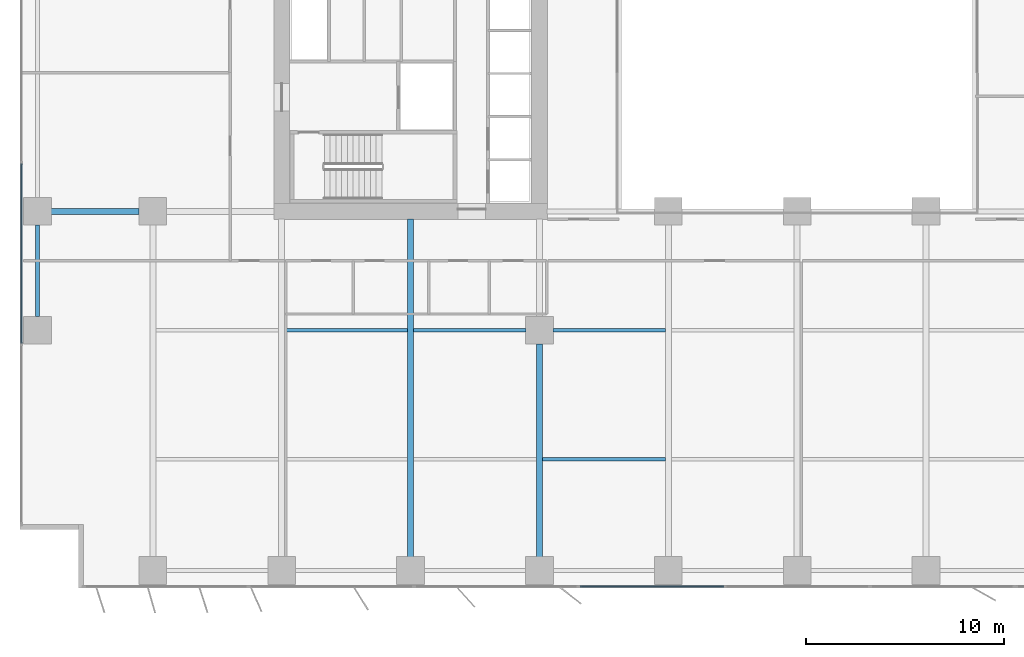
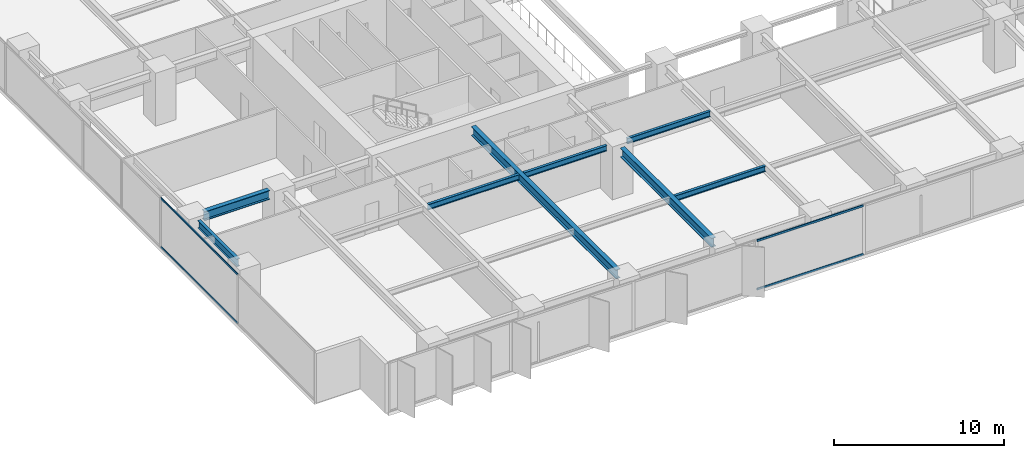
# One storey, part 3 of 20: 8 beams, 4 members, 2 elements without a shape of their own.
"""IFC4 building model written with IfcOpenShell, lengths in metres."""

from ifc_helpers import new_model, si_unit, direction, frame, origin, origin_2d, place, context, subcontext, project, spatial, rectangle, i_section, extrude, material, layer, layer_set, material_profile, profile_set, type_object, element, aggregate, save


model = new_model("IFC4")

# Units and contexts
model_context = context("Model", 3, precision=1e-05, world=origin(), true_north=direction((0.0, 1.0)))
body_context = subcontext(model_context, "Body", "Model", "MODEL_VIEW")
ifc_project = project(units=[si_unit("LENGTHUNIT", "METRE"), si_unit("AREAUNIT", "SQUARE_METRE"), si_unit("VOLUMEUNIT", "CUBIC_METRE"), si_unit("PLANEANGLEUNIT", "RADIAN"), si_unit("MASSUNIT", "GRAM", prefix="KILO")], contexts=[model_context])

# Site, building, storey
site_placement = place(None, origin())
site = spatial("IfcSite", under=ifc_project, at=site_placement, CompositionType="ELEMENT")
building_placement = place(site_placement, origin())
building = spatial("IfcBuilding", under=site, at=building_placement, Name="Putna Gate Headquarters", CompositionType="ELEMENT")
storey_placement = place(building_placement, frame((0.0, 0.0, 43.0)))
storey = spatial("IfcBuildingStorey", under=building, at=storey_placement, Name="L09", CompositionType="ELEMENT", Elevation=43.0)

# Beams
ifc_material_1 = material(Name="Steel S355J2", Category="steel")
ifc_material_profile_1 = material_profile(ifc_material_1, i_section(OverallWidth=0.300048828125, OverallDepth=0.64990234375, WebThickness=0.01611328125, FlangeThickness=0.031005859375, at=origin_2d()), Name="Steel S355J2")
ifc_profile_set_1 = profile_set([ifc_material_profile_1], Name="Steel S355J2")
beam_type_1 = type_object("IfcBeamType", Name="BM-GIRD-Z1-HEB650", PredefinedType="USERDEFINED", material=ifc_profile_set_1)
beam_1_placement = place(storey_placement, frame((1.367919921875, 19.0, 3.22509765625), z_axis=(1.0, 0.0, 0.0), x_axis=(0.0, 1.0, 0.0)))
element("IfcBeam", 1, at=beam_1_placement, inside=storey, type_object=beam_type_1, Name="L09 West Wing Girder Y19-1", ObjectType="GIRDER", PredefinedType="USERDEFINED", context=body_context, shape_type="SweptSolid", body=[
    extrude(i_section(OverallWidth=0.300048828125, OverallDepth=0.64990234375, WebThickness=0.01611328125, FlangeThickness=0.031005859375, at=origin_2d()), origin(), (0.0, 0.0, 1.0), 4.444091796875),
])
beam_2_placement = place(storey_placement, frame((19.5, 1.568115234375, 3.22509765625), z_axis=(0.0, 1.0, 0.0), x_axis=(-1.0, 0.0, 0.0)))
element("IfcBeam", 2, at=beam_2_placement, inside=storey, type_object=beam_type_1, Name="L09 South Primary Girder X19", ObjectType="GIRDER", PredefinedType="USERDEFINED", context=body_context, shape_type="SweptSolid", body=[
    extrude(i_section(OverallWidth=0.300048828125, OverallDepth=0.64990234375, WebThickness=0.01611328125, FlangeThickness=0.031005859375, at=origin_2d()), origin(), (0.0, 0.0, 1.0), 17.046875),
])
beam_3_placement = place(storey_placement, frame((26.0, 1.568115234375, 3.22509765625), z_axis=(0.0, 1.0, 0.0), x_axis=(-1.0, 0.0, 0.0)))
element("IfcBeam", 3, at=beam_3_placement, inside=storey, type_object=beam_type_1, Name="L09 South Primary Girder X26-1", ObjectType="GIRDER", PredefinedType="USERDEFINED", context=body_context, shape_type="SweptSolid", body=[
    extrude(i_section(OverallWidth=0.300048828125, OverallDepth=0.64990234375, WebThickness=0.01611328125, FlangeThickness=0.031005859375, at=origin_2d()), origin(), (0.0, 0.0, 1.0), 10.743896484375),
])
ifc_material_profile_2 = material_profile(ifc_material_1, i_section(OverallWidth=0.179931640625, OverallDepth=0.39990234375, WebThickness=0.008544921875, FlangeThickness=0.013427734375, at=origin_2d()), Name="Steel S355J2")
ifc_profile_set_2 = profile_set([ifc_material_profile_2], Name="Steel S355J2")
beam_type_2 = type_object("IfcBeamType", Name="BM-SEC-Z1-IPE400", PredefinedType="BEAM", material=ifc_profile_set_2)
beam_4_placement = place(storey_placement, frame((13.154052734375, 13.0, 3.35009765625), z_axis=(1.0, 0.0, 0.0), x_axis=(0.0, 1.0, 0.0)))
element("IfcBeam", 4, at=beam_4_placement, inside=storey, type_object=beam_type_2, Name="L09 South Secondary Beam 2", PredefinedType="BEAM", context=body_context, shape_type="SweptSolid", body=[
    extrude(i_section(OverallWidth=0.179931640625, OverallDepth=0.39990234375, WebThickness=0.008544921875, FlangeThickness=0.013427734375, at=origin_2d()), origin(), (0.0, 0.0, 1.0), 6.19189453125),
])
beam_5_placement = place(storey_placement, frame((19.654052734375, 13.0, 3.35009765625), z_axis=(1.0, 0.0, 0.0), x_axis=(0.0, 1.0, 0.0)))
element("IfcBeam", 5, at=beam_5_placement, inside=storey, type_object=beam_type_2, Name="L09 South Secondary Beam 3", PredefinedType="BEAM", context=body_context, shape_type="SweptSolid", body=[
    extrude(i_section(OverallWidth=0.179931640625, OverallDepth=0.39990234375, WebThickness=0.008544921875, FlangeThickness=0.013427734375, at=origin_2d()), origin(), (0.0, 0.0, 1.0), 5.657958984375),
])
beam_6_placement = place(storey_placement, frame((26.154052734375, 6.5, 3.35009765625), z_axis=(1.0, 0.0, 0.0), x_axis=(0.0, 1.0, 0.0)))
element("IfcBeam", 6, at=beam_6_placement, inside=storey, type_object=beam_type_2, Name="L09 South Secondary Beam 4", PredefinedType="BEAM", context=body_context, shape_type="SweptSolid", body=[
    extrude(i_section(OverallWidth=0.179931640625, OverallDepth=0.39990234375, WebThickness=0.008544921875, FlangeThickness=0.013427734375, at=origin_2d()), origin(), (0.0, 0.0, 1.0), 6.19189453125),
])
beam_7_placement = place(storey_placement, frame((26.68798828125, 13.0, 3.35009765625), z_axis=(1.0, 0.0, 0.0), x_axis=(0.0, 1.0, 0.0)))
element("IfcBeam", 7, at=beam_7_placement, inside=storey, type_object=beam_type_2, Name="L09 South Secondary Beam 4", PredefinedType="BEAM", context=body_context, shape_type="SweptSolid", body=[
    extrude(i_section(OverallWidth=0.179931640625, OverallDepth=0.39990234375, WebThickness=0.008544921875, FlangeThickness=0.013427734375, at=origin_2d()), origin(), (0.0, 0.0, 1.0), 5.657958984375),
])
ifc_material_profile_3 = material_profile(ifc_material_1, i_section(OverallWidth=0.2099609375, OverallDepth=0.550048828125, WebThickness=0.010986328125, FlangeThickness=0.01708984375, at=origin_2d()), Name="Steel S355J2")
ifc_profile_set_3 = profile_set([ifc_material_profile_3], Name="Steel S355J2")
beam_type_3 = type_object("IfcBeamType", Name="BM-SPAN-Z1-IPE550", PredefinedType="SPANDREL", material=ifc_profile_set_3)
beam_8_placement = place(storey_placement, frame((0.679931640625, 13.68798828125, 3.27490234375), z_axis=(0.0, 1.0, 0.0), x_axis=(-1.0, 0.0, 0.0)))
element("IfcBeam", 8, at=beam_8_placement, inside=storey, type_object=beam_type_3, Name="L09 W End Spandrel 1", PredefinedType="SPANDREL", context=body_context, shape_type="SweptSolid", body=[
    extrude(i_section(OverallWidth=0.2099609375, OverallDepth=0.550048828125, WebThickness=0.010986328125, FlangeThickness=0.01708984375, at=origin_2d()), origin(), (0.0, 0.0, 1.0), 4.6240234375),
])

# Curtain wall, members
ifc_material_2 = material(Name="Anodised bronze aluminium curtain wall", Category="aluminium")
ifc_layer_1 = layer(ifc_material_2, 0.179931640625)
ifc_layer_set_1 = layer_set([ifc_layer_1], Name="Anodised bronze aluminium curtain wall")
curtain_wall_type_1 = type_object("IfcCurtainWallType", Name="CW-SYS-Z1", PredefinedType="USERDEFINED", material=ifc_layer_set_1)
curtain_wall_1_placement = place(storey_placement, origin())
curtain_wall_1 = element("IfcCurtainWall", 9, at=curtain_wall_1_placement, inside=storey, type_object=curtain_wall_type_1, Name="L09 West Curtain Wall", ObjectType="STICK CURTAIN WALL", PredefinedType="USERDEFINED")
ifc_material_3 = material(Name="Anodised bronze aluminium EN AW-6060", Category="aluminium")
ifc_material_profile_4 = material_profile(ifc_material_3, rectangle(XDim=0.06494140625, YDim=0.1201171875, at=origin_2d()), Name="Anodised bronze aluminium EN AW-6060")
ifc_profile_set_4 = profile_set([ifc_material_profile_4], Name="Anodised bronze aluminium EN AW-6060")
member_type_1 = type_object("IfcMemberType", Name="TRAN-CWT-1", PredefinedType="USERDEFINED", material=ifc_profile_set_4)
member_1_placement = place(storey_placement, frame((-0.1201171875, 12.35498046875, 0.032470703125), z_axis=(0.0, 1.0, 0.0), x_axis=(-1.0, 0.0, 0.0)))
member_1 = element("IfcMember", 10, at=member_1_placement, type_object=member_type_1, Name="CWS-1 transom 2.1", ObjectType="TRANSOM", PredefinedType="USERDEFINED", context=body_context, shape_type="SweptSolid", body=[
    extrude(rectangle(XDim=0.06494140625, YDim=0.1201171875, at=origin_2d()), origin(), (0.0, 0.0, 1.0), 9.050048828125),
])
member_2_placement = place(storey_placement, frame((-0.1201171875, 12.35498046875, 3.517578125), z_axis=(0.0, 1.0, 0.0), x_axis=(-1.0, 0.0, 0.0)))
member_2 = element("IfcMember", 11, at=member_2_placement, type_object=member_type_1, Name="CWS-1 transom 2.2", ObjectType="TRANSOM", PredefinedType="USERDEFINED", context=body_context, shape_type="SweptSolid", body=[
    extrude(rectangle(XDim=0.06494140625, YDim=0.1201171875, at=origin_2d()), origin(), (0.0, 0.0, 1.0), 9.050048828125),
])
aggregate(curtain_wall_1, [member_1, member_2])

ifc_layer_2 = layer(ifc_material_2, 0.179931640625)
ifc_layer_set_2 = layer_set([ifc_layer_2], Name="Anodised bronze aluminium curtain wall")
curtain_wall_type_2 = type_object("IfcCurtainWallType", Name="CW-SYS-ATR", PredefinedType="USERDEFINED", material=ifc_layer_set_2)
curtain_wall_2_placement = place(storey_placement, origin())
curtain_wall_2 = element("IfcCurtainWall", 12, at=curtain_wall_2_placement, inside=storey, type_object=curtain_wall_type_2, Name="L09 South Atrium Clear Glazing", ObjectType="ATRIUM GLAZING", PredefinedType="USERDEFINED")
ifc_material_profile_5 = material_profile(ifc_material_3, rectangle(XDim=0.070068359375, YDim=0.139892578125, at=origin_2d()), Name="Anodised bronze aluminium EN AW-6060")
ifc_profile_set_5 = profile_set([ifc_material_profile_5], Name="Anodised bronze aluminium EN AW-6060")
member_type_2 = type_object("IfcMemberType", Name="TRAN-CWT-AT", PredefinedType="USERDEFINED", material=ifc_profile_set_5)
member_3_placement = place(storey_placement, frame((28.070068359375, 0.080078125, 0.034912109375), z_axis=(1.0, 0.0, 0.0), x_axis=(0.0, 1.0, 0.0)))
member_3 = element("IfcMember", 13, at=member_3_placement, type_object=member_type_2, Name="CWS-AT transom 1.1", ObjectType="TRANSOM", PredefinedType="USERDEFINED", context=body_context, shape_type="SweptSolid", body=[
    extrude(rectangle(XDim=0.070068359375, YDim=0.139892578125, at=origin_2d()), origin(), (0.0, 0.0, 1.0), 7.228271484375),
])
member_4_placement = place(storey_placement, frame((28.070068359375, 0.080078125, 3.514892578125), z_axis=(1.0, 0.0, 0.0), x_axis=(0.0, 1.0, 0.0)))
member_4 = element("IfcMember", 14, at=member_4_placement, type_object=member_type_2, Name="CWS-AT transom 1.2", ObjectType="TRANSOM", PredefinedType="USERDEFINED", context=body_context, shape_type="SweptSolid", body=[
    extrude(rectangle(XDim=0.070068359375, YDim=0.139892578125, at=origin_2d()), origin(), (0.0, 0.0, 1.0), 7.228271484375),
])
aggregate(curtain_wall_2, [member_3, member_4])

save(model, "model.ifc")
